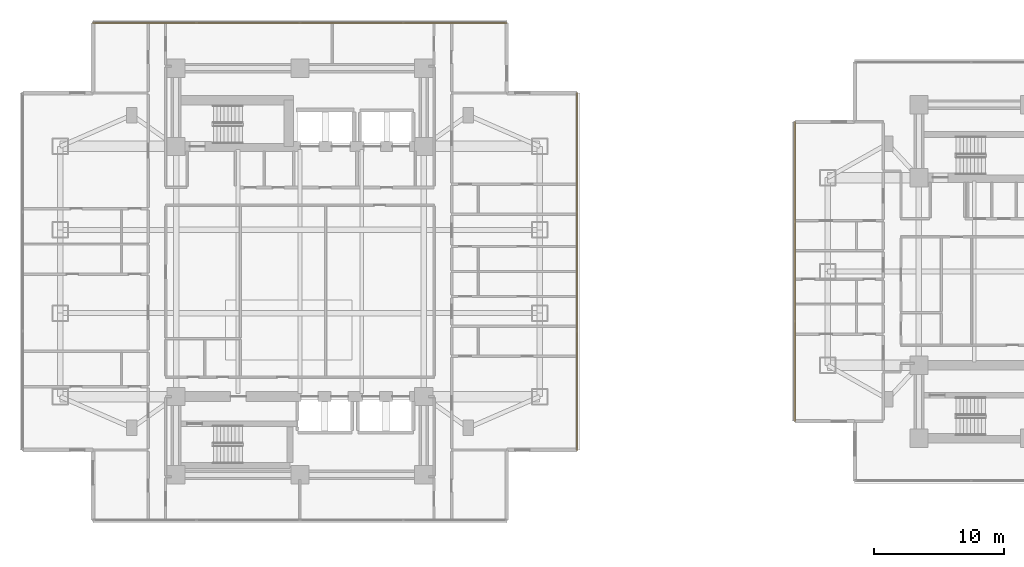
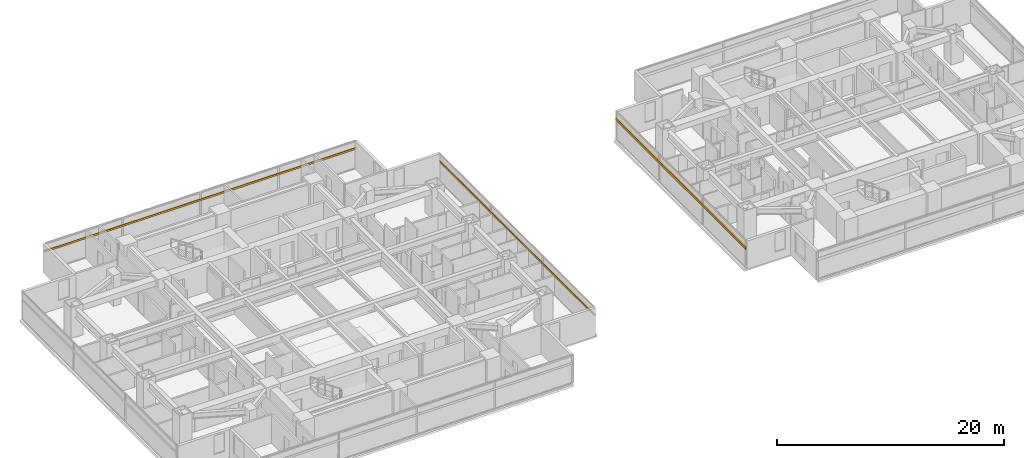
# One storey, part 23 of 26: 3 shading devices.
"""IFC4 building model written with IfcOpenShell, lengths in metres."""

from ifc_helpers import new_model, si_unit, direction, frame, origin, origin_2d, place, context, subcontext, project, spatial, rectangle, extrude, material, material_profile, profile_set, type_object, element, save


model = new_model("IFC4")

# Units and contexts
model_context = context("Model", 3, precision=1e-05, world=origin(), true_north=direction((0.0, 1.0)))
body_context = subcontext(model_context, "Body", "Model", "MODEL_VIEW")
ifc_project = project(units=[si_unit("LENGTHUNIT", "METRE"), si_unit("AREAUNIT", "SQUARE_METRE"), si_unit("VOLUMEUNIT", "CUBIC_METRE"), si_unit("PLANEANGLEUNIT", "RADIAN"), si_unit("MASSUNIT", "GRAM", prefix="KILO")], contexts=[model_context])

# Site, building, storey
site_placement = place(None, origin())
site = spatial("IfcSite", under=ifc_project, at=site_placement, CompositionType="ELEMENT")
building_placement = place(site_placement, origin())
building = spatial("IfcBuilding", under=site, at=building_placement, Name="Mirazonda Arch Towers", CompositionType="ELEMENT")
storey_placement = place(building_placement, frame((0.0, 0.0, 25.699951171875)))
storey = spatial("IfcBuildingStorey", under=building, at=storey_placement, Name="L06", CompositionType="ELEMENT", Elevation=25.699951171875)

# Shading devices
ifc_material = material(Name="Kiln-Fired Architectural Terracotta", Category="masonry")
ifc_material_profile_1 = material_profile(ifc_material, rectangle(XDim=0.10009765625, YDim=0.199951171875, at=origin_2d()), Name="TERRA-BAG-100x200")
ifc_profile_set_1 = profile_set([ifc_material_profile_1], Name="Kiln-Fired Architectural Terracotta")
shading_device_type_1 = type_object("IfcShadingDeviceType", Name="BAGUETTE-2", PredefinedType="USERDEFINED", material=ifc_profile_set_1)
shading_device_1_placement = place(storey_placement, frame((41.760009765625, 14.302001953125, 2.18896484375), z_axis=(0.0, 1.0, 0.0), x_axis=(-1.0, 0.0, 0.0)))
element("IfcShadingDevice", 1, at=shading_device_1_placement, inside=storey, type_object=shading_device_type_1, Name="L06 Glazed Terracotta Sun-Screen Baguette CW-L06-T1-E", ObjectType="BAGUETTE", PredefinedType="USERDEFINED", context=body_context, shape_type="SweptSolid", body=[
    extrude(rectangle(XDim=0.10009765625, YDim=0.199951171875, at=origin_2d()), origin(), (0.0, 0.0, 1.0), 27.39599609375),
])
shading_device_2_placement = place(storey_placement, frame((4.6201171875, 47.077880859375, 2.18896484375), z_axis=(1.0, 0.0, 0.0), x_axis=(0.0, 1.0, 0.0)))
element("IfcShadingDevice", 2, at=shading_device_2_placement, inside=storey, type_object=shading_device_type_1, Name="L06 Glazed Terracotta Sun-Screen Baguette CW-L06-T1-N", ObjectType="BAGUETTE", PredefinedType="USERDEFINED", context=body_context, shape_type="SweptSolid", body=[
    extrude(rectangle(XDim=0.10009765625, YDim=0.199951171875, at=origin_2d()), origin(), (0.0, 0.0, 1.0), 31.759765625),
])
ifc_material_profile_2 = material_profile(ifc_material, rectangle(XDim=0.139892578125, YDim=0.280029296875, at=origin_2d()), Name="TERRA-BAG-140x280")
ifc_profile_set_2 = profile_set([ifc_material_profile_2], Name="Kiln-Fired Architectural Terracotta")
shading_device_type_2 = type_object("IfcShadingDeviceType", Name="BAGUETTE-3", PredefinedType="USERDEFINED", material=ifc_profile_set_2)
shading_device_3_placement = place(storey_placement, frame((58.48193359375, 39.4833984375, 2.18896484375), z_axis=(0.0, -1.0, 0.0), x_axis=(1.0, 0.0, 0.0)))
element("IfcShadingDevice", 3, at=shading_device_3_placement, inside=storey, type_object=shading_device_type_2, Name="L06 Glazed Terracotta Sun-Screen Baguette CW-L06-T2-W", ObjectType="BAGUETTE", PredefinedType="USERDEFINED", context=body_context, shape_type="SweptSolid", body=[
    extrude(rectangle(XDim=0.139892578125, YDim=0.280029296875, at=origin_2d()), origin(), (0.0, 0.0, 1.0), 22.966796875),
])

save(model, "model.ifc")
